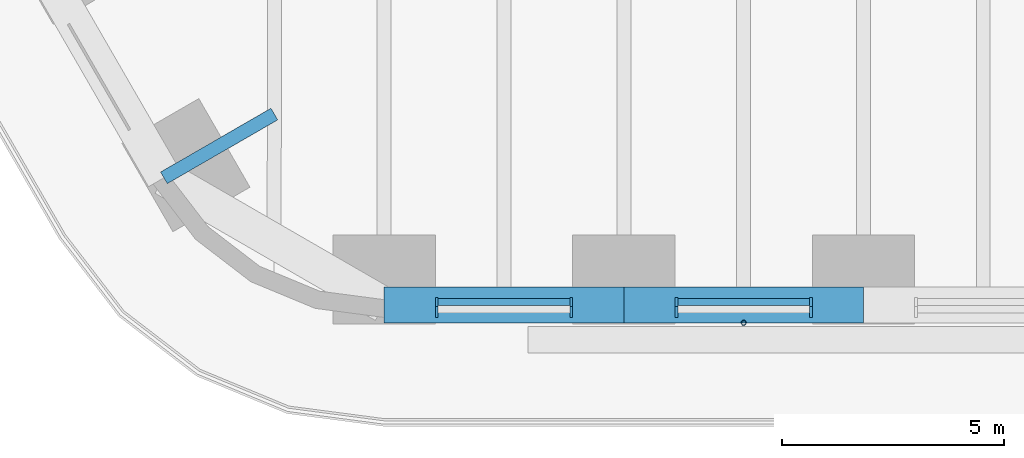
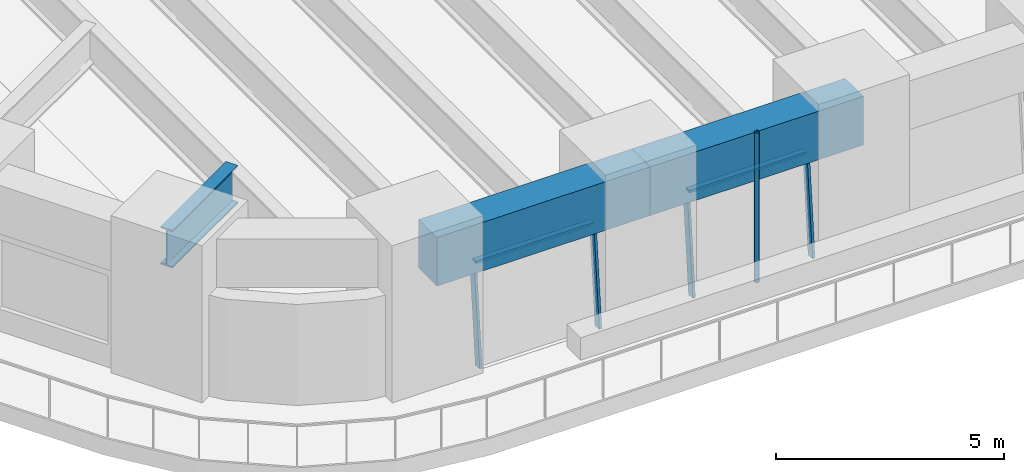
# One storey, part 2 of 23: 7 members, 3 beams, 2 elements without a shape of their own.
"""IFC4 building model written with IfcOpenShell, lengths in metres."""

import ifcopenshell
import ifcopenshell.guid

model = None  # the IFC model being written
_history = None  # IfcOwnerHistory: only IFC2X3 demands one
_inside = {}  # id of a spatial element -> (the spatial element, [elements in it])
_under = {}  # id of a project, library or spatial element -> (it, [spatial elements below it])
_declared = {}  # id of a project -> (the project, [libraries it declares])
_typed = {}  # id of a type object -> (the type object, [elements of that type])
_made_of = {}  # id of a material, layer set ... -> (it, [elements and type objects made of it])


def new_model(schema):
    """Start an empty IFC model of exactly this schema.

    Asked for "IFC4X3", IfcOpenShell would pick the latest addendum, in which some entities
    have other attributes; the version numbers below select the first issue.
    IFC2X3 requires an IfcOwnerHistory on every rooted entity: one is made here for all.
    """
    global model, _history
    if schema == "IFC4X3":
        model = ifcopenshell.file(schema_version=(4, 3, 0, 0))
    else:
        model = ifcopenshell.file(schema=schema)
    _inside.clear()
    _under.clear()
    _declared.clear()
    _typed.clear()
    _made_of.clear()
    _history = None
    if model.schema == "IFC2X3":
        org = make("IfcOrganization", Name="unknown")
        user = make(
            "IfcPersonAndOrganization",
            ThePerson=make("IfcPerson", FamilyName="unknown"),
            TheOrganization=org,
        )
        app = make(
            "IfcApplication",
            ApplicationDeveloper=org,
            Version="unknown",
            ApplicationFullName="unknown",
            ApplicationIdentifier="unknown",
        )
        _history = make(
            "IfcOwnerHistory",
            OwningUser=user,
            OwningApplication=app,
            ChangeAction="ADDED",
            CreationDate=0,
        )
    return model


def make(cls, **values):
    """One entity of the class cls with the attributes given. An attribute that is None is left unset."""
    return model.create_entity(
        cls, **{name: value for name, value in values.items() if value is not None}
    )


def rooted(cls, **values):
    """An entity with a GlobalId (a new one), such as an element, a storey or a relation."""
    return make(cls, GlobalId=ifcopenshell.guid.new(), OwnerHistory=_history, **values)


def si_unit(unit_type, name, prefix=None):
    """IfcSIUnit, for example si_unit("LENGTHUNIT", "METRE", prefix="MILLI")."""
    return make("IfcSIUnit", UnitType=unit_type, Prefix=prefix, Name=name)


def assignment(units):
    """IfcUnitAssignment: the units of a project."""
    return None if units is None else make("IfcUnitAssignment", Units=units)


def point(xyz):
    """IfcCartesianPoint."""
    return None if xyz is None else make("IfcCartesianPoint", Coordinates=xyz)


def direction(xyz):
    """IfcDirection."""
    return None if xyz is None else make("IfcDirection", DirectionRatios=xyz)


def frame(location, z_axis=None, x_axis=None):
    """IfcAxis2Placement3D, a coordinate frame: its origin and axes. An axis left out is left unset."""
    return make(
        "IfcAxis2Placement3D",
        Location=point(location),
        Axis=direction(z_axis),
        RefDirection=direction(x_axis),
    )


def frame_2d(location, x_axis=None):
    """IfcAxis2Placement2D, a coordinate frame in the plane: its origin and x axis."""
    return make(
        "IfcAxis2Placement2D", Location=point(location), RefDirection=direction(x_axis)
    )


def origin():
    """The frame at (0, 0, 0) with its axes left unset."""
    return frame((0.0, 0.0, 0.0))


def origin_2d():
    """The frame at (0, 0) in the plane with its x axis left unset."""
    return frame_2d((0.0, 0.0))


def place(relative_to, where):
    """IfcLocalPlacement: puts the frame where relative to a parent placement (None: the world)."""
    return make(
        "IfcLocalPlacement", PlacementRelTo=relative_to, RelativePlacement=where
    )


def context(
    kind, dimensions, precision=None, world=None, true_north=None, identifier=None
):
    """IfcGeometricRepresentationContext, for example the 3D "Model" context."""
    return make(
        "IfcGeometricRepresentationContext",
        ContextIdentifier=identifier,
        ContextType=kind,
        CoordinateSpaceDimension=dimensions,
        Precision=precision,
        WorldCoordinateSystem=world,
        TrueNorth=true_north,
    )


def subcontext(parent, identifier, kind, view, scale=None):
    """IfcGeometricRepresentationSubContext, for example "Body" below "Model"."""
    return make(
        "IfcGeometricRepresentationSubContext",
        ContextIdentifier=identifier,
        ContextType=kind,
        ParentContext=parent,
        TargetScale=scale,
        TargetView=view,
    )


def project(units=None, contexts=None):
    """IfcProject with its units and contexts."""
    return rooted(
        "IfcProject",
        Name="project",
        RepresentationContexts=contexts,
        UnitsInContext=assignment(units),
    )


def spatial(cls, under=None, at=None, **own):
    """A site, building, storey or space (cls), placed at a placement, below another one or the project."""
    s = rooted(cls, ObjectPlacement=at, **own)
    if under is not None:
        _under.setdefault(under.id(), (under, []))[1].append(s)
    return s


def profile(cls, at=None, kind="AREA", **sizes):
    """A parametric profile (cls). Its sizes go by their IFC names, for example OverallWidth=200.0."""
    return make(cls, ProfileType=kind, Position=at, **sizes)


def rectangle(**sizes):
    """IfcRectangleProfileDef."""
    return profile("IfcRectangleProfileDef", **sizes)


def hollow_circle(**sizes):
    """IfcCircleHollowProfileDef."""
    return profile("IfcCircleHollowProfileDef", **sizes)


def i_section(**sizes):
    """IfcIShapeProfileDef."""
    return profile("IfcIShapeProfileDef", **sizes)


def extrude(swept, where, along, depth):
    """IfcExtrudedAreaSolid: the profile swept, set in the frame where, extruded along a direction by depth."""
    return make(
        "IfcExtrudedAreaSolid",
        SweptArea=swept,
        Position=where,
        ExtrudedDirection=direction(along),
        Depth=depth,
    )


def shape(context_of_items, identifier, shape_type, items):
    """IfcShapeRepresentation: the items that make up one representation, for example the "Body"."""
    return make(
        "IfcShapeRepresentation",
        ContextOfItems=context_of_items,
        RepresentationIdentifier=identifier,
        RepresentationType=shape_type,
        Items=items,
    )


def material(Name=None, Category=None):
    """IfcMaterial."""
    return make("IfcMaterial", Name=Name, Category=Category)


def material_profile(
    of_material, cross_section, Name=None, Category=None, Priority=None
):
    """IfcMaterialProfile: a cross section and its material."""
    return make(
        "IfcMaterialProfile",
        Name=Name,
        Material=of_material,
        Profile=cross_section,
        Priority=Priority,
        Category=Category,
    )


def profile_set(profiles, Name=None, composite=None):
    """IfcMaterialProfileSet."""
    return make(
        "IfcMaterialProfileSet",
        Name=Name,
        MaterialProfiles=profiles,
        CompositeProfile=composite,
    )


def made_of(thing, what):
    """Note that an element or type object is made of a material, layer set ...; save() writes the relation."""
    if what is not None:
        _made_of.setdefault(what.id(), (what, []))[1].append(thing)
    return thing


def type_object(cls, material=None, **own):
    """A type object (cls), such as IfcWallType, which elements share."""
    return made_of(rooted(cls, **own), material)


def element(
    cls,
    number,
    at=None,
    inside=None,
    cuts=None,
    type_object=None,
    material=None,
    context=None,
    identifier="Body",
    shape_type=None,
    held_by="IfcProductDefinitionShape",
    body=None,
    shapes=None,
    **own,
):
    """One element of the class cls, such as IfcWall. Its Tag is "e" and its number.

    at: its placement. inside: the storey or other place that contains it. cuts: it is an
    opening in that element (IfcRelVoidsElement). A single representation is given by context,
    identifier, shape_type and body (its items); several are given by shapes. held_by: the class
    of the entity that holds the representations. save() writes the other relations.
    """
    e = rooted(cls, Tag="e%d" % number, ObjectPlacement=at, **own)
    if body is not None:
        shapes = [shape(context, identifier, shape_type, body)]
    if shapes is not None:
        e.Representation = make(held_by, Representations=shapes)
    if inside is not None:
        _inside.setdefault(inside.id(), (inside, []))[1].append(e)
    if cuts is not None:
        rooted(
            "IfcRelVoidsElement", RelatingBuildingElement=cuts, RelatedOpeningElement=e
        )
    if type_object is not None:
        _typed.setdefault(type_object.id(), (type_object, []))[1].append(e)
    return made_of(e, material)


def aggregate(whole, parts):
    """IfcRelAggregates: a whole, such as a stair, and the parts it consists of."""
    return rooted("IfcRelAggregates", RelatingObject=whole, RelatedObjects=parts)


def save(model, path):
    """Write the relations noted so far, then the file.

    IfcRelAggregates (storeys below a building ...), IfcRelContainedInSpatialStructure (elements
    in a storey), IfcRelDefinesByType, IfcRelAssociatesMaterial and IfcRelDeclares: one each for
    every whole, place, type object, material and project.
    """
    for whole, parts in _under.values():
        aggregate(whole, parts)
    for where, things in _inside.values():
        rooted(
            "IfcRelContainedInSpatialStructure",
            RelatedElements=things,
            RelatingStructure=where,
        )
    for kind, things in _typed.values():
        rooted("IfcRelDefinesByType", RelatedObjects=things, RelatingType=kind)
    for what, things in _made_of.values():
        rooted("IfcRelAssociatesMaterial", RelatedObjects=things, RelatingMaterial=what)
    for by, libraries in _declared.values():
        rooted("IfcRelDeclares", RelatingContext=by, RelatedDefinitions=libraries)
    model.write(path)


model = new_model("IFC4")

# Units and contexts
model_context = context("Model", 3, precision=1e-05, world=origin(), true_north=direction((0.0, 1.0)))
body_context = subcontext(model_context, "Body", "Model", "MODEL_VIEW")
ifc_project = project(units=[si_unit("LENGTHUNIT", "METRE"), si_unit("AREAUNIT", "SQUARE_METRE"), si_unit("VOLUMEUNIT", "CUBIC_METRE"), si_unit("PLANEANGLEUNIT", "RADIAN"), si_unit("MASSUNIT", "GRAM", prefix="KILO")], contexts=[model_context])

# Site, building, storey
site_placement = place(None, origin())
site = spatial("IfcSite", under=ifc_project, at=site_placement, CompositionType="ELEMENT")
building_placement = place(site_placement, origin())
building = spatial("IfcBuilding", under=site, at=building_placement, Name="Tarfa Lantern Tower", CompositionType="ELEMENT")
storey_placement = place(building_placement, frame((0.0, 0.0, 40.300048828125)))
storey = spatial("IfcBuildingStorey", under=building, at=storey_placement, Name="L08", CompositionType="ELEMENT", Elevation=40.300048828125)

# Curtain wall, members
ifc_material_1 = material(Name="Aluminium framed curtain wall", Category="aluminium")
curtain_wall_type = type_object("IfcCurtainWallType", Name="CW1 CANTED GLAZING LOW ZONE 2700", PredefinedType="USERDEFINED", material=ifc_material_1)
curtain_wall_1_placement = place(storey_placement, origin())
curtain_wall_1 = element("IfcCurtainWall", 1, at=curtain_wall_1_placement, inside=storey, type_object=curtain_wall_type, Name="CW1 S L08", ObjectType="CURTAIN WALL", PredefinedType="USERDEFINED")
ifc_material_2 = material(Name="Aluminium mullion", Category="aluminium")
ifc_material_profile_1 = material_profile(ifc_material_2, rectangle(XDim=0.06494140625, YDim=0.199951171875, at=origin_2d()), Name="AL MULLION 65x200")
ifc_profile_set_1 = profile_set([ifc_material_profile_1], Name="Aluminium mullion")
member_type_1 = type_object("IfcMemberType", Name="CWM1 MULLION 65x200", PredefinedType="MULLION", material=ifc_profile_set_1)
member_1_placement = place(storey_placement, frame((-14.9833984375, -33.89990234375, 0.0), z_axis=(0.0, 0.092199863775, 0.995740520979), x_axis=(-1.0, 0.0, 0.0)))
member_1 = element("IfcMember", 2, at=member_1_placement, type_object=member_type_1, Name="CW1 mullion 1", PredefinedType="MULLION", context=body_context, shape_type="SweptSolid", body=[
    extrude(rectangle(XDim=0.06494140625, YDim=0.199951171875, at=origin_2d()), origin(), (0.0, 0.0, 1.0), 2.71142578125),
])
member_2_placement = place(storey_placement, frame((-11.959716796875, -33.89990234375, 0.0), z_axis=(0.0, 0.092199863775, 0.995740520979), x_axis=(-1.0, 0.0, 0.0)))
member_2 = element("IfcMember", 3, at=member_2_placement, type_object=member_type_1, Name="CW1 mullion 2", PredefinedType="MULLION", context=body_context, shape_type="SweptSolid", body=[
    extrude(rectangle(XDim=0.06494140625, YDim=0.199951171875, at=origin_2d()), origin(), (0.0, 0.0, 1.0), 2.71142578125),
])

curtain_wall_2_placement = place(storey_placement, origin())
curtain_wall_2 = element("IfcCurtainWall", 4, at=curtain_wall_2_placement, inside=storey, type_object=curtain_wall_type, Name="CW1 S L08", ObjectType="CURTAIN WALL", PredefinedType="USERDEFINED")
member_3_placement = place(storey_placement, frame((-9.5947265625, -33.89990234375, 0.0), z_axis=(0.0, 0.092199863775, 0.995740520979), x_axis=(-1.0, 0.0, 0.0)))
member_3 = element("IfcMember", 5, at=member_3_placement, type_object=member_type_1, Name="CW1 mullion 1", PredefinedType="MULLION", context=body_context, shape_type="SweptSolid", body=[
    extrude(rectangle(XDim=0.06494140625, YDim=0.199951171875, at=origin_2d()), origin(), (0.0, 0.0, 1.0), 2.71142578125),
])
member_4_placement = place(storey_placement, frame((-6.571044921875, -33.89990234375, 0.0), z_axis=(0.0, 0.092199863775, 0.995740520979), x_axis=(-1.0, 0.0, 0.0)))
member_4 = element("IfcMember", 6, at=member_4_placement, type_object=member_type_1, Name="CW1 mullion 2", PredefinedType="MULLION", context=body_context, shape_type="SweptSolid", body=[
    extrude(rectangle(XDim=0.06494140625, YDim=0.199951171875, at=origin_2d()), origin(), (0.0, 0.0, 1.0), 2.71142578125),
])

# Member
ifc_material_3 = material(Name="Aluminium transom", Category="aluminium")
ifc_material_profile_2 = material_profile(ifc_material_3, rectangle(XDim=0.14990234375, YDim=0.06494140625, at=origin_2d()), Name="AL TRANSOM 150x65")
ifc_profile_set_2 = profile_set([ifc_material_profile_2], Name="Aluminium transom")
member_type_2 = type_object("IfcMemberType", Name="CWT1 TRANSOM 150x65", PredefinedType="USERDEFINED", material=ifc_profile_set_2)
member_5_placement = place(storey_placement, frame((-14.950927734375, -33.653076171875, 2.66748046875), z_axis=(1.0, 0.0, 0.0), x_axis=(0.0, 1.0, 0.0)))
member_5 = element("IfcMember", 7, at=member_5_placement, type_object=member_type_2, Name="CW1 transom 1.2", ObjectType="TRANSOM", PredefinedType="USERDEFINED", context=body_context, shape_type="SweptSolid", body=[
    extrude(rectangle(XDim=0.14990234375, YDim=0.06494140625, at=origin_2d()), origin(), (0.0, 0.0, 1.0), 2.958740234375),
])

aggregate(curtain_wall_1, [member_1, member_2, member_5])

member_6_placement = place(storey_placement, frame((-9.562255859375, -33.653076171875, 2.66748046875), z_axis=(1.0, 0.0, 0.0), x_axis=(0.0, 1.0, 0.0)))
member_6 = element("IfcMember", 8, at=member_6_placement, type_object=member_type_2, Name="CW1 transom 1.2", ObjectType="TRANSOM", PredefinedType="USERDEFINED", context=body_context, shape_type="SweptSolid", body=[
    extrude(rectangle(XDim=0.14990234375, YDim=0.06494140625, at=origin_2d()), origin(), (0.0, 0.0, 1.0), 2.958740234375),
])

aggregate(curtain_wall_2, [member_3, member_4, member_6])

# Beams
ifc_material_4 = material(Name="Concrete C80/95", Category="concrete")
ifc_material_profile_3 = material_profile(ifc_material_4, rectangle(XDim=0.800048828125, YDim=1.300048828125, at=origin_2d()), Name="RC 800x1300")
ifc_profile_set_3 = profile_set([ifc_material_profile_3], Name="Concrete C80/95")
beam_type_1 = type_object("IfcBeamType", Name="EB1 RC 800x1300", PredefinedType="SPANDREL", material=ifc_profile_set_3)
beam_1_placement = place(storey_placement, frame((-16.165771484375, -33.719970703125, 3.349853515625), z_axis=(1.0, 0.0, 0.0), x_axis=(0.0, 1.0, 0.0)))
element("IfcBeam", 9, at=beam_1_placement, inside=storey, type_object=beam_type_1, Name="Edge beam S0", PredefinedType="SPANDREL", context=body_context, shape_type="SweptSolid", body=[
    extrude(rectangle(XDim=0.800048828125, YDim=1.300048828125, at=origin_2d()), origin(), (0.0, 0.0, 1.0), 5.388671875),
])
beam_2_placement = place(storey_placement, frame((-10.777099609375, -33.719970703125, 3.349853515625), z_axis=(1.0, 0.0, 0.0), x_axis=(0.0, 1.0, 0.0)))
element("IfcBeam", 10, at=beam_2_placement, inside=storey, type_object=beam_type_1, Name="Edge beam S1", PredefinedType="SPANDREL", context=body_context, shape_type="SweptSolid", body=[
    extrude(rectangle(XDim=0.800048828125, YDim=1.300048828125, at=origin_2d()), origin(), (0.0, 0.0, 1.0), 5.388427734375),
])

# Member
ifc_material_5 = material(Name="Steel S355", Category="steel")
ifc_material_profile_4 = material_profile(ifc_material_5, hollow_circle(Radius=0.05712890625, WallThickness=0.00634765625, at=origin_2d()), Name="CHS114.3x6.3")
ifc_profile_set_4 = profile_set([ifc_material_profile_4], Name="Steel S355")
member_type_3 = type_object("IfcMemberType", Name="TR1 GREEN WALL TRELLIS CHS114.3x6.3", PredefinedType="USERDEFINED", material=ifc_profile_set_4)
member_7_placement = place(storey_placement, frame((-8.0830078125, -34.1201171875, 0.0), z_axis=(0.0, 0.0, 1.0), x_axis=(1.0, 0.0, 0.0)))
element("IfcMember", 11, at=member_7_placement, inside=storey, type_object=member_type_3, Name="Trellis post S 1", ObjectType="TRELLIS", PredefinedType="USERDEFINED", context=body_context, shape_type="SweptSolid", body=[
    extrude(hollow_circle(Radius=0.05712890625, WallThickness=0.00634765625, at=origin_2d()), origin(), (0.0, 0.0, 1.0), 4.0),
])

# Beam
ifc_material_6 = material(Name="Steel S460M", Category="steel")
ifc_material_profile_5 = material_profile(ifc_material_6, i_section(OverallWidth=0.302001953125, OverallDepth=1.008056640625, WebThickness=0.02099609375, FlangeThickness=0.0400390625, FilletRadius=0.030029296875, at=origin_2d()), Name="UB1016x305x349")
ifc_profile_set_5 = profile_set([ifc_material_profile_5], Name="Steel S460M")
beam_type_2 = type_object("IfcBeamType", Name="UB1016x305x349", PredefinedType="BEAM", material=ifc_profile_set_5)
beam_3_placement = place(storey_placement, frame((-21.119384765625, -30.860107421875, 3.495849609375), z_axis=(0.866012580594, 0.500022209759, 0.0), x_axis=(-0.500022209759, 0.866012580594, 0.0)))
element("IfcBeam", 12, at=beam_3_placement, inside=storey, type_object=beam_type_2, Name="Floor beam SW6", PredefinedType="BEAM", context=body_context, shape_type="SweptSolid", body=[
    extrude(i_section(OverallWidth=0.302001953125, OverallDepth=1.008056640625, WebThickness=0.02099609375, FlangeThickness=0.0400390625, FilletRadius=0.030029296875, at=origin_2d()), origin(), (0.0, 0.0, 1.0), 2.866943359375),
])

save(model, "model.ifc")
